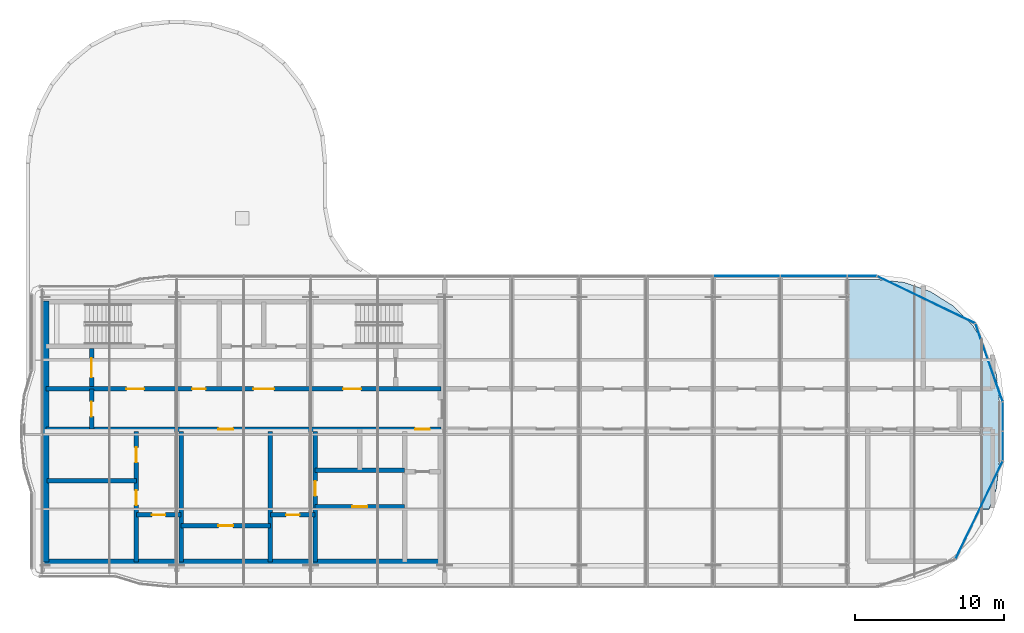
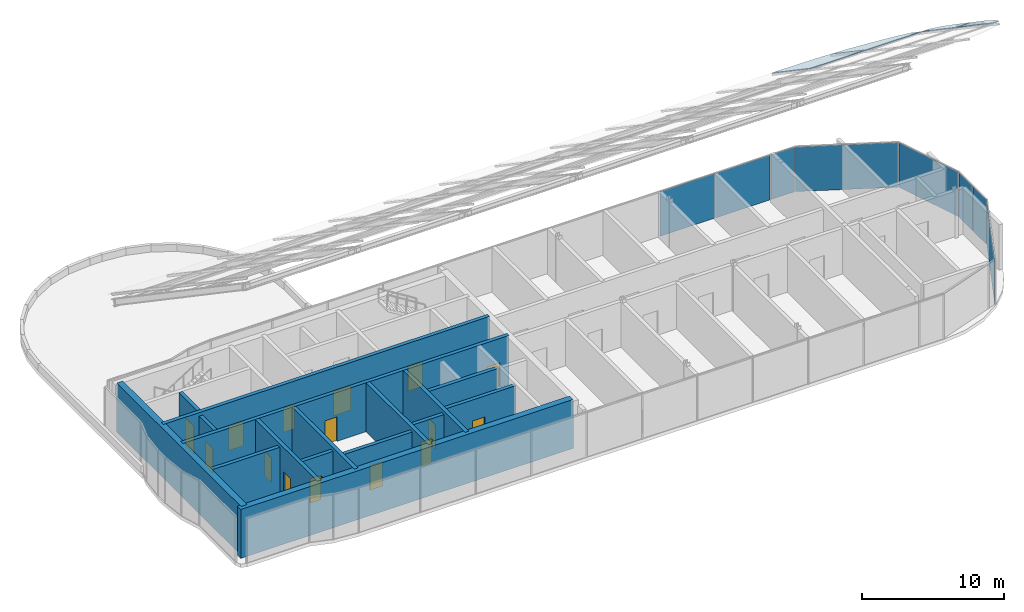
# One storey, part 20 of 25: 16 walls, 15 doors, 12 plates, 15 openings, 9 elements without a shape of their own.
"""IFC4 building model written with IfcOpenShell, lengths in metres."""

from ifc_helpers import new_model, si_unit, direction, frame, frame_2d, origin, origin_2d, place, context, subcontext, project, spatial, polyline, rectangle, outline, extrude, material, layer, layer_set, type_object, element, fill, aggregate, save


model = new_model("IFC4")

# Units and contexts
model_context = context("Model", 3, precision=1e-05, world=origin(), true_north=direction((0.0, 1.0)))
body_context = subcontext(model_context, "Body", "Model", "MODEL_VIEW")
ifc_project = project(units=[si_unit("LENGTHUNIT", "METRE"), si_unit("AREAUNIT", "SQUARE_METRE"), si_unit("VOLUMEUNIT", "CUBIC_METRE"), si_unit("PLANEANGLEUNIT", "RADIAN"), si_unit("MASSUNIT", "GRAM", prefix="KILO")], contexts=[model_context])

# Site, building, storey
site_placement = place(None, origin())
site = spatial("IfcSite", under=ifc_project, at=site_placement, CompositionType="ELEMENT")
building_placement = place(site_placement, origin())
building = spatial("IfcBuilding", under=site, at=building_placement, Name="Ogive Portal Towers", CompositionType="ELEMENT")
storey_placement = place(building_placement, frame((0.0, 0.0, 272.89990234375)))
storey = spatial("IfcBuildingStorey", under=building, at=storey_placement, Name="L66", CompositionType="ELEMENT", Elevation=272.89990234375)

# Curtain wall, plate
ifc_material_1 = material(Name="Glass, clear low-iron insulated glazing", Category="glass")
curtain_wall_type = type_object("IfcCurtainWallType", Name="CW CROWN GLAZING", PredefinedType="NOTDEFINED", material=ifc_material_1)
curtain_wall_1_placement = place(storey_placement, origin())
curtain_wall_1 = element("IfcCurtainWall", 1, at=curtain_wall_1_placement, inside=storey, type_object=curtain_wall_type, Name="A:L66:c08:cw", PredefinedType="NOTDEFINED")
ifc_layer_1 = layer(ifc_material_1, 0.028076171875)
ifc_layer_set_1 = layer_set([ifc_layer_1], Name="CW PANEL IGU 28")
plate_type_1 = type_object("IfcPlateType", Name="CW PANEL IGU 28", PredefinedType="CURTAIN_PANEL", material=ifc_layer_set_1)
plate_1_placement = place(storey_placement, frame((94.3310546875, 25.21875, 0.0), z_axis=(0.0, 0.0, 1.0), x_axis=(0.433883739113, 0.900968867905, 0.0)))
plate_1 = element("IfcPlate", 2, at=plate_1_placement, type_object=plate_type_1, Name="panel", PredefinedType="CURTAIN_PANEL", context=body_context, shape_type="SweptSolid", body=[
    extrude(rectangle(XDim=7.2646484375, YDim=0.028076171875, at=origin_2d()), origin(), (0.0, 0.0, 1.0), 3.840087890625),
])
aggregate(curtain_wall_1, [plate_1])

# Curtain wall, plates
curtain_wall_2_placement = place(storey_placement, origin())
curtain_wall_2 = element("IfcCurtainWall", 3, at=curtain_wall_2_placement, inside=storey, type_object=curtain_wall_type, Name="A:L66:c09:cw", PredefinedType="NOTDEFINED")
plate_2_placement = place(storey_placement, frame((95.919921875, 29.509033203125, 0.0), z_axis=(0.0, 0.0, 1.0), x_axis=(0.0, 1.0, 0.0)))
plate_2 = element("IfcPlate", 4, at=plate_2_placement, type_object=plate_type_1, Name="panel", PredefinedType="CURTAIN_PANEL", context=body_context, shape_type="SweptSolid", body=[
    extrude(rectangle(XDim=1.921630859375, YDim=0.028076171875, at=origin_2d()), origin(), (0.0, 0.0, 1.0), 3.840087890625),
])
plate_3_placement = place(storey_placement, frame((95.919921875, 31.4931640625, 0.0), z_axis=(0.0, 0.0, 1.0), x_axis=(0.0, 1.0, 0.0)))
plate_3 = element("IfcPlate", 5, at=plate_3_placement, type_object=plate_type_1, Name="panel", PredefinedType="CURTAIN_PANEL", context=body_context, shape_type="SweptSolid", body=[
    extrude(rectangle(XDim=1.926513671875, YDim=0.028076171875, at=origin_2d()), origin(), (0.0, 0.0, 1.0), 3.840087890625),
])
aggregate(curtain_wall_2, [plate_2, plate_3])

# Curtain wall, plate
curtain_wall_3_placement = place(storey_placement, origin())
curtain_wall_3 = element("IfcCurtainWall", 6, at=curtain_wall_3_placement, inside=storey, type_object=curtain_wall_type, Name="A:L66:c10:cw", PredefinedType="NOTDEFINED")
plate_4_placement = place(storey_placement, frame((95.00048828125, 35.1142578125, 0.0), z_axis=(0.0, 0.0, 1.0), x_axis=(-0.33027906196, 0.943883330307, 0.0)))
plate_4 = element("IfcPlate", 7, at=plate_4_placement, type_object=plate_type_1, Name="panel", PredefinedType="CURTAIN_PANEL", context=body_context, shape_type="SweptSolid", body=[
    extrude(rectangle(XDim=5.508056640625, YDim=0.028076171875, at=origin_2d()), origin(), (0.0, 0.0, 1.0), 3.840087890625),
])
aggregate(curtain_wall_3, [plate_4])

curtain_wall_4_placement = place(storey_placement, origin())
curtain_wall_4 = element("IfcCurtainWall", 8, at=curtain_wall_4_placement, inside=storey, type_object=curtain_wall_type, Name="A:L66:c11:cw", PredefinedType="NOTDEFINED")
plate_5_placement = place(storey_placement, frame((90.78125, 39.3310546875, 0.0), z_axis=(0.0, 0.0, 1.0), x_axis=(-0.900968867905, 0.433883739113, 0.0)))
plate_5 = element("IfcPlate", 9, at=plate_5_placement, type_object=plate_type_1, Name="panel", PredefinedType="CURTAIN_PANEL", context=body_context, shape_type="SweptSolid", body=[
    extrude(rectangle(XDim=7.2646484375, YDim=0.028076171875, at=origin_2d()), origin(), (0.0, 0.0, 1.0), 3.840087890625),
])
aggregate(curtain_wall_4, [plate_5])

# Curtain wall, plates
curtain_wall_5_placement = place(storey_placement, origin())
curtain_wall_5 = element("IfcCurtainWall", 10, at=curtain_wall_5_placement, inside=storey, type_object=curtain_wall_type, Name="A:L66:c12:cw", PredefinedType="NOTDEFINED")
plate_6_placement = place(storey_placement, frame((86.490966796875, 40.919921875, 0.0), z_axis=(0.0, 0.0, 1.0), x_axis=(-1.0, 0.0, 0.0)))
plate_6 = element("IfcPlate", 11, at=plate_6_placement, type_object=plate_type_1, Name="panel", PredefinedType="CURTAIN_PANEL", context=body_context, shape_type="SweptSolid", body=[
    extrude(rectangle(XDim=1.921630859375, YDim=0.028076171875, at=origin_2d()), origin(), (0.0, 0.0, 1.0), 3.840087890625),
])
plate_7_placement = place(storey_placement, frame((83.25, 40.919921875, 0.0), z_axis=(0.0, 0.0, 1.0), x_axis=(-1.0, 0.0, 0.0)))
plate_7 = element("IfcPlate", 12, at=plate_7_placement, type_object=plate_type_1, Name="panel", PredefinedType="CURTAIN_PANEL", context=body_context, shape_type="SweptSolid", body=[
    extrude(rectangle(XDim=4.43994140625, YDim=0.028076171875, at=origin_2d()), origin(), (0.0, 0.0, 1.0), 3.840087890625),
])
plate_8_placement = place(storey_placement, frame((78.75, 40.919921875, 0.0), z_axis=(0.0, 0.0, 1.0), x_axis=(-1.0, 0.0, 0.0)))
plate_8 = element("IfcPlate", 13, at=plate_8_placement, type_object=plate_type_1, Name="panel", PredefinedType="CURTAIN_PANEL", context=body_context, shape_type="SweptSolid", body=[
    extrude(rectangle(XDim=4.43994140625, YDim=0.028076171875, at=origin_2d()), origin(), (0.0, 0.0, 1.0), 3.840087890625),
])
aggregate(curtain_wall_5, [plate_6, plate_7, plate_8])

# Curtain wall, plate
curtain_wall_6_placement = place(storey_placement, origin())
curtain_wall_6 = element("IfcCurtainWall", 14, at=curtain_wall_6_placement, inside=storey, type_object=curtain_wall_type, Name="Crown roof glazing edge 5.2", PredefinedType="NOTDEFINED")
ifc_layer_2 = layer(ifc_material_1, 0.055908203125)
ifc_layer_set_2 = layer_set([ifc_layer_2], Name="CW ROOF PANEL IGU 56")
plate_type_2 = type_object("IfcPlateType", Name="CW ROOF PANEL IGU 56", PredefinedType="CURTAIN_PANEL", material=ifc_layer_set_2)
plate_9_placement = place(storey_placement, frame((85.5, 40.699951171875, 11.024169921875), z_axis=(5.416069e-06, 0.562306575923, 0.82692884497), x_axis=(1.8e-11, -0.826928844982, 0.562306575932)))
plate_9 = element("IfcPlate", 15, at=plate_9_placement, type_object=plate_type_2, Name="roof panel", PredefinedType="CURTAIN_PANEL", context=body_context, shape_type="SweptSolid", body=[
    extrude(outline(polyline([(0.0, 0.0), (6.530054466634287, -3.3881317890172014e-21), (6.53005446671358, 4.499999999933999), (0.5367108321177756, 4.500000000174853), (0.2506136435494814, 3.8242187502837366), (3.494400038944171e-11, 1.983154296845913), (0.0, 0.0)])), origin(), (0.0, 0.0, -1.0), 0.055908203125),
])
aggregate(curtain_wall_6, [plate_9])

curtain_wall_7_placement = place(storey_placement, origin())
curtain_wall_7 = element("IfcCurtainWall", 16, at=curtain_wall_7_placement, inside=storey, type_object=curtain_wall_type, Name="Crown roof glazing edge 5.4", PredefinedType="NOTDEFINED")
plate_10_placement = place(storey_placement, frame((90.0, 40.256103515625, 11.325927734375), z_axis=(2.632904e-06, 0.562313692853, 0.82692400547), x_axis=(1.2e-11, -0.826924005473, 0.562313692855)))
plate_10 = element("IfcPlate", 17, at=plate_10_placement, type_object=plate_type_2, Name="roof panel", PredefinedType="CURTAIN_PANEL", context=body_context, shape_type="SweptSolid", body=[
    extrude(outline(polyline([(0.0, 0.0), (5.993343634588756, -1.6940658945086007e-21), (5.99334363464136, 4.499999999984404), (4.334726112801929, 4.499999999856833), (3.1982593781855098, 3.909423828345331), (1.6285526064975788, 2.6113281249271636), (0.44725902636306214, 1.0571289063526454), (0.0, 0.0)])), origin(), (0.0, 0.0, -1.0), 0.055908203125),
])
aggregate(curtain_wall_7, [plate_10])

curtain_wall_8_placement = place(storey_placement, origin())
curtain_wall_8 = element("IfcCurtainWall", 18, at=curtain_wall_8_placement, inside=storey, type_object=curtain_wall_type, Name="Crown roof glazing edge 6.1", PredefinedType="NOTDEFINED")
plate_11_placement = place(storey_placement, frame((95.699951171875, 30.300048828125, 18.09619140625), z_axis=(6.0066442e-05, 0.56229454658, 0.826937022559), x_axis=(-0.999999998196, 3.3775033e-05, 4.9671164e-05)))
plate_11 = element("IfcPlate", 19, at=plate_11_placement, type_object=plate_type_2, Name="roof panel", PredefinedType="CURTAIN_PANEL", context=body_context, shape_type="SweptSolid", body=[
    extrude(outline(polyline([(0.0, 0.0), (1.1999511697103018, -8.131185421396262e-21), (1.1999511716557476, 6.046431670496885), (0.6887207038280014, 6.046431670496885), (0.207275387901238, 4.3827346888302126), (-6.307477820351583e-09, 2.156323912846469), (0.0, 0.0)])), origin(), (0.0, 0.0, -1.0), 0.055908203125),
])
aggregate(curtain_wall_8, [plate_11])

curtain_wall_9_placement = place(storey_placement, origin())
curtain_wall_9 = element("IfcCurtainWall", 20, at=curtain_wall_9_placement, inside=storey, type_object=curtain_wall_type, Name="Crown roof glazing edge 6.2", PredefinedType="NOTDEFINED")
plate_12_placement = place(storey_placement, frame((95.151123046875, 35.300048828125, 14.696044921875), z_axis=(1.7323143e-05, 0.562327592227, 0.826914553458), x_axis=(-0.99999999985, 9.741282e-06, 1.4324759e-05)))
plate_12 = element("IfcPlate", 21, at=plate_12_placement, type_object=plate_type_2, Name="roof panel", PredefinedType="CURTAIN_PANEL", context=body_context, shape_type="SweptSolid", body=[
    extrude(outline(polyline([(0.0, 0.0), (0.6511230467773018, 0.0), (0.6511230466499887, 6.04656895397329), (-0.5488281250449639, 6.04656895397329), (-0.5488281256119835, 3.4064849630129856), (-0.34155273461823576, 1.18007418617396), (0.0, 0.0)])), origin(), (0.0, 0.0, -1.0), 0.055908203125),
])
aggregate(curtain_wall_9, [plate_12])

# Wall, openings, doors
ifc_material_2 = material(Name="Concrete C60/75", Category="concrete")
ifc_layer_3 = layer(ifc_material_2, 0.300048828125)
ifc_layer_set_3 = layer_set([ifc_layer_3], Name="CORE WALL 300 C60")
wall_type_1 = type_object("IfcWallType", Name="CORE WALL 300 C60", PredefinedType="SHEAR", material=ifc_layer_set_3)
wall_1_placement = place(storey_placement, frame((37.800048828125, 21.75, 0.0), z_axis=(0.0, 0.0, 1.0), x_axis=(0.0, 1.0, 0.0)))
wall_1 = element("IfcWall", 22, at=wall_1_placement, inside=storey, type_object=wall_type_1, Name="Core wall X1 L66", PredefinedType="SHEAR", context=body_context, shape_type="SweptSolid", body=[
    extrude(rectangle(XDim=8.75, YDim=0.300048828125, at=frame_2d((4.375, 0.0))), origin(), (0.0, 0.0, 1.0), 4.2001953125),
])
opening_1_placement = place(wall_1_placement, frame((6.675048828125, 0.0, 0.0)))
opening_1 = element("IfcOpeningElement", 23, at=opening_1_placement, cuts=wall_1, Name="Opening D32-016", PredefinedType="OPENING", context=body_context, shape_type="SweptSolid", body=[
    extrude(rectangle(XDim=1.0, YDim=2.10009765625, at=frame_2d((0.5, 1.050048828125))), frame((0.0, 0.16015625, 0.0), z_axis=(0.0, -1.0, 0.0), x_axis=(1.0, 0.0, 0.0)), (0.0, 0.0, 1.0), 0.320068359375),
])
opening_2_placement = place(wall_1_placement, frame((3.800048828125, 0.0, 0.0)))
opening_2 = element("IfcOpeningElement", 24, at=opening_2_placement, cuts=wall_1, Name="Opening D32-017", PredefinedType="OPENING", context=body_context, shape_type="SweptSolid", body=[
    extrude(rectangle(XDim=1.0, YDim=2.10009765625, at=frame_2d((0.5, 1.050048828125))), frame((0.0, 0.16015625, 0.0), z_axis=(0.0, -1.0, 0.0), x_axis=(1.0, 0.0, 0.0)), (0.0, 0.0, 1.0), 0.320068359375),
])
ifc_material_3 = material(Name="Steel fire door", Category="steel")
door_type_1 = type_object("IfcDoorType", Name="DT-SWING-1000x2100-FD90S", OperationType="SINGLE_SWING_LEFT", PredefinedType="DOOR", material=ifc_material_3)
door_1_placement = place(opening_1_placement, origin())
door_1 = element("IfcDoor", 25, at=door_1_placement, inside=storey, type_object=door_type_1, Name="Door D32-016", OperationType="SINGLE_SWING_LEFT", OverallHeight=2.10009765625, OverallWidth=1.0, PredefinedType="DOOR", context=body_context, shape_type="SweptSolid", body=[
    extrude(rectangle(XDim=1.0, YDim=2.10009765625, at=frame_2d((0.5, 1.050048828125))), frame((0.0, 0.02490234375, 0.0), z_axis=(0.0, -1.0, 0.0), x_axis=(1.0, 0.0, 0.0)), (0.0, 0.0, 1.0), 0.050048828125),
])
fill(opening_1, door_1)
door_2_placement = place(opening_2_placement, origin())
door_2 = element("IfcDoor", 26, at=door_2_placement, inside=storey, type_object=door_type_1, Name="Door D32-017", OperationType="SINGLE_SWING_RIGHT", OverallHeight=2.10009765625, OverallWidth=1.0, PredefinedType="DOOR", context=body_context, shape_type="SweptSolid", body=[
    extrude(rectangle(XDim=1.0, YDim=2.10009765625, at=frame_2d((0.5, 1.050048828125))), frame((0.0, 0.02490234375, 0.0), z_axis=(0.0, -1.0, 0.0), x_axis=(1.0, 0.0, 0.0)), (0.0, 0.0, 1.0), 0.050048828125),
])
fill(opening_2, door_2)

# Walls
for number, where, z_axis, x_axis, name in (
    (27, (40.800048828125, 21.75, 0.0), (0.0, 0.0, 1.0), (0.0, 1.0, 0.0), "Core wall X2 L66"),
    (28, (46.800048828125, 21.75, 0.0), (0.0, 0.0, 1.0), (0.0, 1.0, 0.0), "Core wall X3 L66"),
):
    element("IfcWall", number, at=place(storey_placement, frame(where, z_axis=z_axis, x_axis=x_axis)), inside=storey, type_object=wall_type_1, Name=name, PredefinedType="SHEAR", context=body_context, shape_type="SweptSolid", body=[
        extrude(rectangle(XDim=8.75, YDim=0.300048828125, at=frame_2d((4.375, 0.0))), origin(), (0.0, 0.0, 1.0), 4.2001953125),
    ])

# Wall, opening, door
wall_2_placement = place(storey_placement, frame((49.800048828125, 21.75, 0.0), z_axis=(0.0, 0.0, 1.0), x_axis=(0.0, 1.0, 0.0)))
wall_2 = element("IfcWall", 29, at=wall_2_placement, inside=storey, type_object=wall_type_1, Name="Core wall X4 L66", PredefinedType="SHEAR", context=body_context, shape_type="SweptSolid", body=[
    extrude(rectangle(XDim=8.75, YDim=0.300048828125, at=frame_2d((4.375, 0.0))), origin(), (0.0, 0.0, 1.0), 4.2001953125),
])
opening_3_placement = place(wall_2_placement, frame((4.425048828125, 0.0, 0.0)))
opening_3 = element("IfcOpeningElement", 30, at=opening_3_placement, cuts=wall_2, Name="Opening D32-020", PredefinedType="OPENING", context=body_context, shape_type="SweptSolid", body=[
    extrude(rectangle(XDim=1.0, YDim=2.10009765625, at=frame_2d((0.5, 1.050048828125))), frame((0.0, 0.16015625, 0.0), z_axis=(0.0, -1.0, 0.0), x_axis=(1.0, 0.0, 0.0)), (0.0, 0.0, 1.0), 0.320068359375),
])
door_3_placement = place(opening_3_placement, origin())
door_3 = element("IfcDoor", 31, at=door_3_placement, inside=storey, type_object=door_type_1, Name="Door D32-020", OperationType="SINGLE_SWING_LEFT", OverallHeight=2.10009765625, OverallWidth=1.0, PredefinedType="DOOR", context=body_context, shape_type="SweptSolid", body=[
    extrude(rectangle(XDim=1.0, YDim=2.10009765625, at=frame_2d((0.5, 1.050048828125))), frame((0.0, 0.02490234375, 0.0), z_axis=(0.0, -1.0, 0.0), x_axis=(1.0, 0.0, 0.0)), (0.0, 0.0, 1.0), 0.050048828125),
])
fill(opening_3, door_3)

# Wall, openings, doors
wall_3_placement = place(storey_placement, frame((31.75, 30.64990234375, 0.0), z_axis=(0.0, 0.0, 1.0), x_axis=(1.0, 0.0, 0.0)))
wall_3 = element("IfcWall", 32, at=wall_3_placement, inside=storey, type_object=wall_type_1, Name="Core wall Y1 L66", PredefinedType="SHEAR", context=body_context, shape_type="SweptSolid", body=[
    extrude(rectangle(XDim=26.5, YDim=0.300048828125, at=frame_2d((13.25, 0.0))), origin(), (0.0, 0.0, 1.0), 4.2001953125),
])
opening_4_placement = place(wall_3_placement, frame((24.75, 0.0, 0.0)))
opening_4 = element("IfcOpeningElement", 33, at=opening_4_placement, cuts=wall_3, Name="Opening D32-009", PredefinedType="OPENING", context=body_context, shape_type="SweptSolid", body=[
    extrude(rectangle(XDim=1.0, YDim=2.10009765625, at=frame_2d((0.5, 1.050048828125))), frame((0.0, 0.16015625, 0.0), z_axis=(0.0, -1.0, 0.0), x_axis=(1.0, 0.0, 0.0)), (0.0, 0.0, 1.0), 0.320068359375),
])
opening_5_placement = place(wall_3_placement, frame((11.550048828125, 0.0, 0.0)))
opening_5 = element("IfcOpeningElement", 34, at=opening_5_placement, cuts=wall_3, Name="Opening D32-018", PredefinedType="OPENING", context=body_context, shape_type="SweptSolid", body=[
    extrude(rectangle(XDim=1.0, YDim=2.10009765625, at=frame_2d((0.5, 1.050048828125))), frame((0.0, 0.16015625, 0.0), z_axis=(0.0, -1.0, 0.0), x_axis=(1.0, 0.0, 0.0)), (0.0, 0.0, 1.0), 0.320068359375),
])
door_4_placement = place(opening_4_placement, origin())
door_4 = element("IfcDoor", 35, at=door_4_placement, inside=storey, type_object=door_type_1, Name="Door D32-009", OperationType="SINGLE_SWING_LEFT", OverallHeight=2.10009765625, OverallWidth=1.0, PredefinedType="DOOR", context=body_context, shape_type="SweptSolid", body=[
    extrude(rectangle(XDim=1.0, YDim=2.10009765625, at=frame_2d((0.5, 1.050048828125))), frame((0.0, 0.02490234375, 0.0), z_axis=(0.0, -1.0, 0.0), x_axis=(1.0, 0.0, 0.0)), (0.0, 0.0, 1.0), 0.050048828125),
])
fill(opening_4, door_4)
door_5_placement = place(opening_5_placement, origin())
door_5 = element("IfcDoor", 36, at=door_5_placement, inside=storey, type_object=door_type_1, Name="Door D32-018", OperationType="SINGLE_SWING_LEFT", OverallHeight=2.10009765625, OverallWidth=1.0, PredefinedType="DOOR", context=body_context, shape_type="SweptSolid", body=[
    extrude(rectangle(XDim=1.0, YDim=2.10009765625, at=frame_2d((0.5, 1.050048828125))), frame((0.0, 0.02490234375, 0.0), z_axis=(0.0, -1.0, 0.0), x_axis=(1.0, 0.0, 0.0)), (0.0, 0.0, 1.0), 0.050048828125),
])
fill(opening_5, door_5)

wall_4_placement = place(storey_placement, frame((31.75, 33.35009765625, 0.0), z_axis=(0.0, 0.0, 1.0), x_axis=(1.0, 0.0, 0.0)))
wall_4 = element("IfcWall", 37, at=wall_4_placement, inside=storey, type_object=wall_type_1, Name="Core wall Y2 L66", PredefinedType="SHEAR", context=body_context, shape_type="SweptSolid", body=[
    extrude(rectangle(XDim=26.5, YDim=0.300048828125, at=frame_2d((13.25, 0.0))), origin(), (0.0, 0.0, 1.0), 4.2001953125),
])
opening_6_placement = place(wall_4_placement, frame((13.89990234375, 0.0, 0.0)))
opening_6 = element("IfcOpeningElement", 38, at=opening_6_placement, cuts=wall_4, Name="Opening D32-001", PredefinedType="OPENING", context=body_context, shape_type="SweptSolid", body=[
    extrude(rectangle(XDim=1.39990234375, YDim=2.10009765625, at=frame_2d((0.699951171875, 1.050048828125))), frame((0.0, 0.16015625, 0.0), z_axis=(0.0, -1.0, 0.0), x_axis=(1.0, 0.0, 0.0)), (0.0, 0.0, 1.0), 0.320068359375),
])
opening_7_placement = place(wall_4_placement, frame((5.375, 0.0, 0.0)))
opening_7 = element("IfcOpeningElement", 39, at=opening_7_placement, cuts=wall_4, Name="Opening D32-002", PredefinedType="OPENING", context=body_context, shape_type="SweptSolid", body=[
    extrude(rectangle(XDim=1.199951171875, YDim=2.10009765625, at=frame_2d((0.60009765625, 1.050048828125))), frame((0.0, 0.16015625, 0.0), z_axis=(0.0, -1.0, 0.0), x_axis=(1.0, 0.0, 0.0)), (0.0, 0.0, 1.0), 0.320068359375),
])
opening_8_placement = place(wall_4_placement, frame((19.925048828125, 0.0, 0.0)))
opening_8 = element("IfcOpeningElement", 40, at=opening_8_placement, cuts=wall_4, Name="Opening D32-003", PredefinedType="OPENING", context=body_context, shape_type="SweptSolid", body=[
    extrude(rectangle(XDim=1.199951171875, YDim=2.10009765625, at=frame_2d((0.60009765625, 1.050048828125))), frame((0.0, 0.16015625, 0.0), z_axis=(0.0, -1.0, 0.0), x_axis=(1.0, 0.0, 0.0)), (0.0, 0.0, 1.0), 0.320068359375),
])
opening_9_placement = place(wall_4_placement, frame((9.800048828125, 0.0, 0.0)))
opening_9 = element("IfcOpeningElement", 41, at=opening_9_placement, cuts=wall_4, Name="Opening D32-006", PredefinedType="OPENING", context=body_context, shape_type="SweptSolid", body=[
    extrude(rectangle(XDim=0.89990234375, YDim=2.10009765625, at=frame_2d((0.449951171875, 1.050048828125))), frame((0.0, 0.16015625, 0.0), z_axis=(0.0, -1.0, 0.0), x_axis=(1.0, 0.0, 0.0)), (0.0, 0.0, 1.0), 0.320068359375),
])
door_type_2 = type_object("IfcDoorType", Name="DT-SWING-1200x2100-FD90S", OperationType="SINGLE_SWING_LEFT", PredefinedType="DOOR", material=ifc_material_3)
door_6_placement = place(opening_7_placement, origin())
door_6 = element("IfcDoor", 42, at=door_6_placement, inside=storey, type_object=door_type_2, Name="Door D32-002", OperationType="SINGLE_SWING_LEFT", OverallHeight=2.10009765625, OverallWidth=1.199951171875, PredefinedType="DOOR", context=body_context, shape_type="SweptSolid", body=[
    extrude(rectangle(XDim=1.199951171875, YDim=2.10009765625, at=frame_2d((0.60009765625, 1.050048828125))), frame((0.0, 0.02490234375, 0.0), z_axis=(0.0, -1.0, 0.0), x_axis=(1.0, 0.0, 0.0)), (0.0, 0.0, 1.0), 0.050048828125),
])
fill(opening_7, door_6)
door_7_placement = place(opening_8_placement, origin())
door_7 = element("IfcDoor", 43, at=door_7_placement, inside=storey, type_object=door_type_2, Name="Door D32-003", OperationType="SINGLE_SWING_RIGHT", OverallHeight=2.10009765625, OverallWidth=1.199951171875, PredefinedType="DOOR", context=body_context, shape_type="SweptSolid", body=[
    extrude(rectangle(XDim=1.199951171875, YDim=2.10009765625, at=frame_2d((0.60009765625, 1.050048828125))), frame((0.0, 0.02490234375, 0.0), z_axis=(0.0, -1.0, 0.0), x_axis=(1.0, 0.0, 0.0)), (0.0, 0.0, 1.0), 0.050048828125),
])
fill(opening_8, door_7)
door_type_3 = type_object("IfcDoorType", Name="DT-SWING-1400x2100-FD90S", OperationType="SINGLE_SWING_LEFT", PredefinedType="DOOR", material=ifc_material_3)
door_8_placement = place(opening_6_placement, origin())
door_8 = element("IfcDoor", 44, at=door_8_placement, inside=storey, type_object=door_type_3, Name="Door D32-001", OperationType="SINGLE_SWING_RIGHT", OverallHeight=2.10009765625, OverallWidth=1.39990234375, PredefinedType="DOOR", context=body_context, shape_type="SweptSolid", body=[
    extrude(rectangle(XDim=1.39990234375, YDim=2.10009765625, at=frame_2d((0.699951171875, 1.050048828125))), frame((0.0, 0.02490234375, 0.0), z_axis=(0.0, -1.0, 0.0), x_axis=(1.0, 0.0, 0.0)), (0.0, 0.0, 1.0), 0.050048828125),
])
fill(opening_6, door_8)
door_type_4 = type_object("IfcDoorType", Name="DT-SWING-900x2100-FD90S", OperationType="SINGLE_SWING_LEFT", PredefinedType="DOOR", material=ifc_material_3)
door_9_placement = place(opening_9_placement, origin())
door_9 = element("IfcDoor", 45, at=door_9_placement, inside=storey, type_object=door_type_4, Name="Riser access door D32-006", OperationType="SINGLE_SWING_LEFT", OverallHeight=2.10009765625, OverallWidth=0.89990234375, PredefinedType="DOOR", context=body_context, shape_type="SweptSolid", body=[
    extrude(rectangle(XDim=0.89990234375, YDim=2.10009765625, at=frame_2d((0.449951171875, 1.050048828125))), frame((0.0, 0.02490234375, 0.0), z_axis=(0.0, -1.0, 0.0), x_axis=(1.0, 0.0, 0.0)), (0.0, 0.0, 1.0), 0.050048828125),
])
fill(opening_9, door_9)

# Wall, opening, door
wall_5_placement = place(storey_placement, frame((34.800048828125, 33.5, 0.0), z_axis=(0.0, 0.0, 1.0), x_axis=(0.0, 1.0, 0.0)))
wall_5 = element("IfcWall", 46, at=wall_5_placement, inside=storey, type_object=wall_type_1, Name="Core wall X8 L66", PredefinedType="SHEAR", context=body_context, shape_type="SweptSolid", body=[
    extrude(rectangle(XDim=2.550048828125, YDim=0.300048828125, at=frame_2d((1.27490234375, 0.0))), origin(), (0.0, 0.0, 1.0), 4.2001953125),
])
opening_10_placement = place(wall_5_placement, frame((0.625, 0.0, 0.0)))
opening_10 = element("IfcOpeningElement", 47, at=opening_10_placement, cuts=wall_5, Name="Opening D32-014", PredefinedType="OPENING", context=body_context, shape_type="SweptSolid", body=[
    extrude(rectangle(XDim=1.300048828125, YDim=2.39990234375, at=frame_2d((0.64990234375, 1.199951171875))), frame((0.0, 0.16015625, 0.0), z_axis=(0.0, -1.0, 0.0), x_axis=(1.0, 0.0, 0.0)), (0.0, 0.0, 1.0), 0.320068359375),
])
ifc_material_4 = material(Name="Stainless steel", Category="steel")
door_type_5 = type_object("IfcDoorType", Name="DT-LD-1300x2400", OperationType="SLIDING_TO_LEFT", PredefinedType="DOOR", material=ifc_material_4)
door_10_placement = place(opening_10_placement, origin())
door_10 = element("IfcDoor", 48, at=door_10_placement, inside=storey, type_object=door_type_5, Name="Door D32-014", OperationType="SLIDING_TO_LEFT", OverallHeight=2.39990234375, OverallWidth=1.300048828125, PredefinedType="DOOR", context=body_context, shape_type="SweptSolid", body=[
    extrude(rectangle(XDim=1.300048828125, YDim=2.39990234375, at=frame_2d((0.64990234375, 1.199951171875))), frame((0.0, 0.02490234375, 0.0), z_axis=(0.0, -1.0, 0.0), x_axis=(1.0, 0.0, 0.0)), (0.0, 0.0, 1.0), 0.050048828125),
])
fill(opening_10, door_10)

# Walls
ifc_layer_4 = layer(ifc_material_2, 0.5)
ifc_layer_set_4 = layer_set([ifc_layer_4], Name="CORE WALL 500 C60")
wall_type_2 = type_object("IfcWallType", Name="CORE WALL 500 C60", PredefinedType="SHEAR", material=ifc_layer_set_4)
wall_6_placement = place(storey_placement, frame((31.699951171875, 21.75, 0.0), z_axis=(0.0, 0.0, 1.0), x_axis=(0.0, 1.0, 0.0)))
element("IfcWall", 49, at=wall_6_placement, inside=storey, type_object=wall_type_2, Name="Core wall W L66", PredefinedType="SHEAR", context=body_context, shape_type="SweptSolid", body=[
    extrude(rectangle(XDim=17.5, YDim=0.5, at=frame_2d((8.75, 0.0))), origin(), (0.0, 0.0, 1.0), 4.2001953125),
])
wall_7_placement = place(storey_placement, frame((31.25, 21.699951171875, 0.0), z_axis=(0.0, 0.0, 1.0), x_axis=(1.0, 0.0, 0.0)))
element("IfcWall", 50, at=wall_7_placement, inside=storey, type_object=wall_type_2, Name="Core wall S L66", PredefinedType="SHEAR", context=body_context, shape_type="SweptSolid", body=[
    extrude(rectangle(XDim=27.0, YDim=0.5, at=frame_2d((13.5, 0.0))), origin(), (0.0, 0.0, 1.0), 4.2001953125),
])

# Wall, opening, door
ifc_material_5 = material(Name="Gypsum board partition on steel studs", Category="steel")
ifc_layer_5 = layer(ifc_material_5, 0.300048828125)
ifc_layer_set_5 = layer_set([ifc_layer_5], Name="WT-PART-300")
wall_type_3 = type_object("IfcWallType", Name="WT-PART-300", PredefinedType="PARTITIONING", material=ifc_layer_set_5)
wall_8_placement = place(storey_placement, frame((40.800048828125, 24.173095703125, 0.0), z_axis=(0.0, 0.0, 1.0), x_axis=(1.0, 0.0, 0.0)))
wall_8 = element("IfcWall", 51, at=wall_8_placement, inside=storey, type_object=wall_type_3, Name="Wall pw:001:L66", PredefinedType="PARTITIONING", context=body_context, shape_type="SweptSolid", body=[
    extrude(rectangle(XDim=6.0, YDim=0.300048828125, at=frame_2d((3.0, 0.0))), origin(), (0.0, 0.0, 1.0), 3.900146484375),
])
opening_11_placement = place(wall_8_placement, frame((2.5, 0.0, 0.0)))
opening_11 = element("IfcOpeningElement", 52, at=opening_11_placement, cuts=wall_8, Name="Opening D32-019", PredefinedType="OPENING", context=body_context, shape_type="SweptSolid", body=[
    extrude(rectangle(XDim=1.0, YDim=2.10009765625, at=frame_2d((0.5, 1.050048828125))), frame((0.0, 0.16015625, 0.0), z_axis=(0.0, -1.0, 0.0), x_axis=(1.0, 0.0, 0.0)), (0.0, 0.0, 1.0), 0.320068359375),
])
door_type_6 = type_object("IfcDoorType", Name="DT-SWING-1000x2100-FD60S", OperationType="SINGLE_SWING_LEFT", PredefinedType="DOOR", material=ifc_material_3)
door_11_placement = place(opening_11_placement, origin())
door_11 = element("IfcDoor", 53, at=door_11_placement, inside=storey, type_object=door_type_6, Name="Riser access door D32-019", OperationType="SINGLE_SWING_RIGHT", OverallHeight=2.10009765625, OverallWidth=1.0, PredefinedType="DOOR", context=body_context, shape_type="SweptSolid", body=[
    extrude(rectangle(XDim=1.0, YDim=2.10009765625, at=frame_2d((0.5, 1.050048828125))), frame((0.0, 0.02490234375, 0.0), z_axis=(0.0, -1.0, 0.0), x_axis=(1.0, 0.0, 0.0)), (0.0, 0.0, 1.0), 0.050048828125),
])
fill(opening_11, door_11)

wall_9_placement = place(storey_placement, frame((37.800048828125, 24.89990234375, 0.0), z_axis=(0.0, 0.0, 1.0), x_axis=(1.0, 0.0, 0.0)))
wall_9 = element("IfcWall", 54, at=wall_9_placement, inside=storey, type_object=wall_type_3, Name="Wall pw:002:L66", PredefinedType="PARTITIONING", context=body_context, shape_type="SweptSolid", body=[
    extrude(rectangle(XDim=3.0, YDim=0.300048828125, at=frame_2d((1.5, 0.0))), origin(), (0.0, 0.0, 1.0), 3.900146484375),
])
opening_12_placement = place(wall_9_placement, frame((1.050048828125, 0.0, 0.0)))
opening_12 = element("IfcOpeningElement", 55, at=opening_12_placement, cuts=wall_9, Name="Opening D32-007", PredefinedType="OPENING", context=body_context, shape_type="SweptSolid", body=[
    extrude(rectangle(XDim=0.89990234375, YDim=2.10009765625, at=frame_2d((0.449951171875, 1.050048828125))), frame((0.0, 0.16015625, 0.0), z_axis=(0.0, -1.0, 0.0), x_axis=(1.0, 0.0, 0.0)), (0.0, 0.0, 1.0), 0.320068359375),
])
door_type_7 = type_object("IfcDoorType", Name="DT-SWING-900x2100-FD60S", OperationType="SINGLE_SWING_LEFT", PredefinedType="DOOR", material=ifc_material_3)
door_12_placement = place(opening_12_placement, origin())
door_12 = element("IfcDoor", 56, at=door_12_placement, inside=storey, type_object=door_type_7, Name="Riser access door D32-007", OperationType="SINGLE_SWING_LEFT", OverallHeight=2.10009765625, OverallWidth=0.89990234375, PredefinedType="DOOR", context=body_context, shape_type="SweptSolid", body=[
    extrude(rectangle(XDim=0.89990234375, YDim=2.10009765625, at=frame_2d((0.449951171875, 1.050048828125))), frame((0.0, 0.02490234375, 0.0), z_axis=(0.0, -1.0, 0.0), x_axis=(1.0, 0.0, 0.0)), (0.0, 0.0, 1.0), 0.050048828125),
])
fill(opening_12, door_12)

wall_10_placement = place(storey_placement, frame((46.800048828125, 24.89990234375, 0.0), z_axis=(0.0, 0.0, 1.0), x_axis=(1.0, 0.0, 0.0)))
wall_10 = element("IfcWall", 57, at=wall_10_placement, inside=storey, type_object=wall_type_3, Name="Wall pw:003:L66", PredefinedType="PARTITIONING", context=body_context, shape_type="SweptSolid", body=[
    extrude(rectangle(XDim=3.0, YDim=0.300048828125, at=frame_2d((1.5, 0.0))), origin(), (0.0, 0.0, 1.0), 3.900146484375),
])
opening_13_placement = place(wall_10_placement, frame((1.050048828125, 0.0, 0.0)))
opening_13 = element("IfcOpeningElement", 58, at=opening_13_placement, cuts=wall_10, Name="Opening D32-008", PredefinedType="OPENING", context=body_context, shape_type="SweptSolid", body=[
    extrude(rectangle(XDim=0.89990234375, YDim=2.10009765625, at=frame_2d((0.449951171875, 1.050048828125))), frame((0.0, 0.16015625, 0.0), z_axis=(0.0, -1.0, 0.0), x_axis=(1.0, 0.0, 0.0)), (0.0, 0.0, 1.0), 0.320068359375),
])
door_13_placement = place(opening_13_placement, origin())
door_13 = element("IfcDoor", 59, at=door_13_placement, inside=storey, type_object=door_type_7, Name="Riser access door D32-008", OperationType="SINGLE_SWING_RIGHT", OverallHeight=2.10009765625, OverallWidth=0.89990234375, PredefinedType="DOOR", context=body_context, shape_type="SweptSolid", body=[
    extrude(rectangle(XDim=0.89990234375, YDim=2.10009765625, at=frame_2d((0.449951171875, 1.050048828125))), frame((0.0, 0.02490234375, 0.0), z_axis=(0.0, -1.0, 0.0), x_axis=(1.0, 0.0, 0.0)), (0.0, 0.0, 1.0), 0.050048828125),
])
fill(opening_13, door_13)

wall_11_placement = place(storey_placement, frame((49.800048828125, 25.449951171875, 0.0), z_axis=(0.0, 0.0, 1.0), x_axis=(1.0, 0.0, 0.0)))
wall_11 = element("IfcWall", 60, at=wall_11_placement, inside=storey, type_object=wall_type_3, Name="Wall pw:004:L66", PredefinedType="PARTITIONING", context=body_context, shape_type="SweptSolid", body=[
    extrude(rectangle(XDim=6.0, YDim=0.300048828125, at=frame_2d((3.0, 0.0))), origin(), (0.0, 0.0, 1.0), 3.900146484375),
])
opening_14_placement = place(wall_11_placement, frame((2.5, 0.0, 0.0)))
opening_14 = element("IfcOpeningElement", 61, at=opening_14_placement, cuts=wall_11, Name="Opening D32-021", PredefinedType="OPENING", context=body_context, shape_type="SweptSolid", body=[
    extrude(rectangle(XDim=1.0, YDim=2.10009765625, at=frame_2d((0.5, 1.050048828125))), frame((0.0, 0.16015625, 0.0), z_axis=(0.0, -1.0, 0.0), x_axis=(1.0, 0.0, 0.0)), (0.0, 0.0, 1.0), 0.320068359375),
])
door_14_placement = place(opening_14_placement, origin())
door_14 = element("IfcDoor", 62, at=door_14_placement, inside=storey, type_object=door_type_6, Name="Door D32-021", OperationType="SINGLE_SWING_RIGHT", OverallHeight=2.10009765625, OverallWidth=1.0, PredefinedType="DOOR", context=body_context, shape_type="SweptSolid", body=[
    extrude(rectangle(XDim=1.0, YDim=2.10009765625, at=frame_2d((0.5, 1.050048828125))), frame((0.0, 0.02490234375, 0.0), z_axis=(0.0, -1.0, 0.0), x_axis=(1.0, 0.0, 0.0)), (0.0, 0.0, 1.0), 0.050048828125),
])
fill(opening_14, door_14)

# Walls
wall_12_placement = place(storey_placement, frame((31.800048828125, 27.199951171875, 0.0), z_axis=(0.0, 0.0, 1.0), x_axis=(1.0, 0.0, 0.0)))
element("IfcWall", 63, at=wall_12_placement, inside=storey, type_object=wall_type_3, Name="Wall pw:005:L66", PredefinedType="PARTITIONING", context=body_context, shape_type="SweptSolid", body=[
    extrude(rectangle(XDim=6.0, YDim=0.300048828125, at=frame_2d((3.0, 0.0))), origin(), (0.0, 0.0, 1.0), 3.900146484375),
])
ifc_material_6 = material(Name="Concrete C40/50", Category="concrete")
ifc_layer_6 = layer(ifc_material_6, 0.300048828125)
ifc_layer_set_6 = layer_set([ifc_layer_6], Name="WT-SHAFT-300")
wall_type_4 = type_object("IfcWallType", Name="WT-SHAFT-300", PredefinedType="SOLIDWALL", material=ifc_layer_set_6)
wall_13_placement = place(storey_placement, frame((49.800048828125, 27.89990234375, 0.0), z_axis=(0.0, 0.0, 1.0), x_axis=(1.0, 0.0, 0.0)))
element("IfcWall", 64, at=wall_13_placement, inside=storey, type_object=wall_type_4, Name="Wall pw:007:L66", PredefinedType="SOLIDWALL", context=body_context, shape_type="SweptSolid", body=[
    extrude(rectangle(XDim=6.0, YDim=0.300048828125, at=frame_2d((3.0, 0.0))), origin(), (0.0, 0.0, 1.0), 3.900146484375),
])

# Wall, opening, door
wall_14_placement = place(storey_placement, frame((34.800048828125, 30.64990234375, 0.0), z_axis=(0.0, 0.0, 1.0), x_axis=(0.0, 1.0, 0.0)))
wall_14 = element("IfcWall", 65, at=wall_14_placement, inside=storey, type_object=wall_type_4, Name="Wall pw:008:L66", PredefinedType="SOLIDWALL", context=body_context, shape_type="SweptSolid", body=[
    extrude(rectangle(XDim=2.7001953125, YDim=0.300048828125, at=frame_2d((1.35009765625, 0.0))), origin(), (0.0, 0.0, 1.0), 3.900146484375),
])
opening_15_placement = place(wall_14_placement, frame((0.85009765625, 0.0, 0.0)))
opening_15 = element("IfcOpeningElement", 66, at=opening_15_placement, cuts=wall_14, Name="Opening D32-022", PredefinedType="OPENING", context=body_context, shape_type="SweptSolid", body=[
    extrude(rectangle(XDim=1.0, YDim=2.10009765625, at=frame_2d((0.5, 1.050048828125))), frame((0.0, 0.16015625, 0.0), z_axis=(0.0, -1.0, 0.0), x_axis=(1.0, 0.0, 0.0)), (0.0, 0.0, 1.0), 0.320068359375),
])
door_15_placement = place(opening_15_placement, origin())
door_15 = element("IfcDoor", 67, at=door_15_placement, inside=storey, type_object=door_type_1, Name="Door D32-022", OperationType="SINGLE_SWING_LEFT", OverallHeight=2.10009765625, OverallWidth=1.0, PredefinedType="DOOR", context=body_context, shape_type="SweptSolid", body=[
    extrude(rectangle(XDim=1.0, YDim=2.10009765625, at=frame_2d((0.5, 1.050048828125))), frame((0.0, 0.02490234375, 0.0), z_axis=(0.0, -1.0, 0.0), x_axis=(1.0, 0.0, 0.0)), (0.0, 0.0, 1.0), 0.050048828125),
])
fill(opening_15, door_15)

save(model, "model.ifc")
